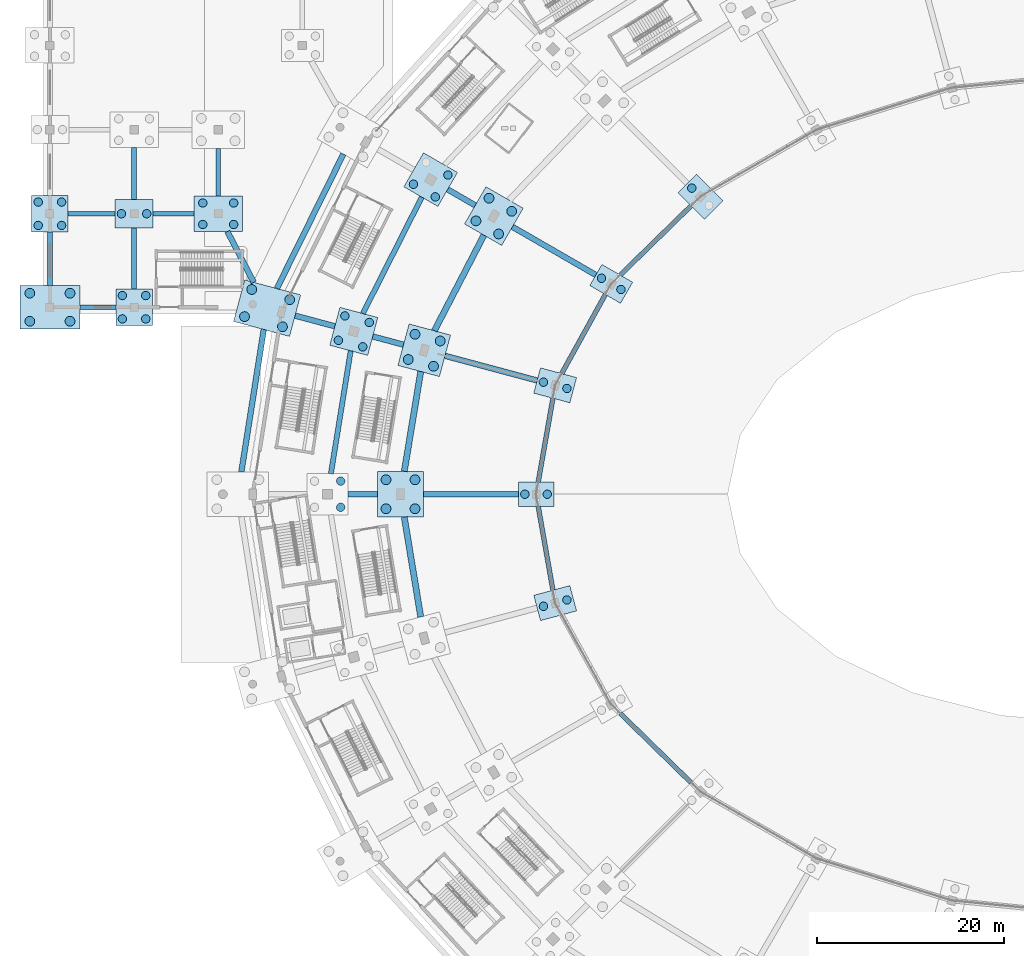
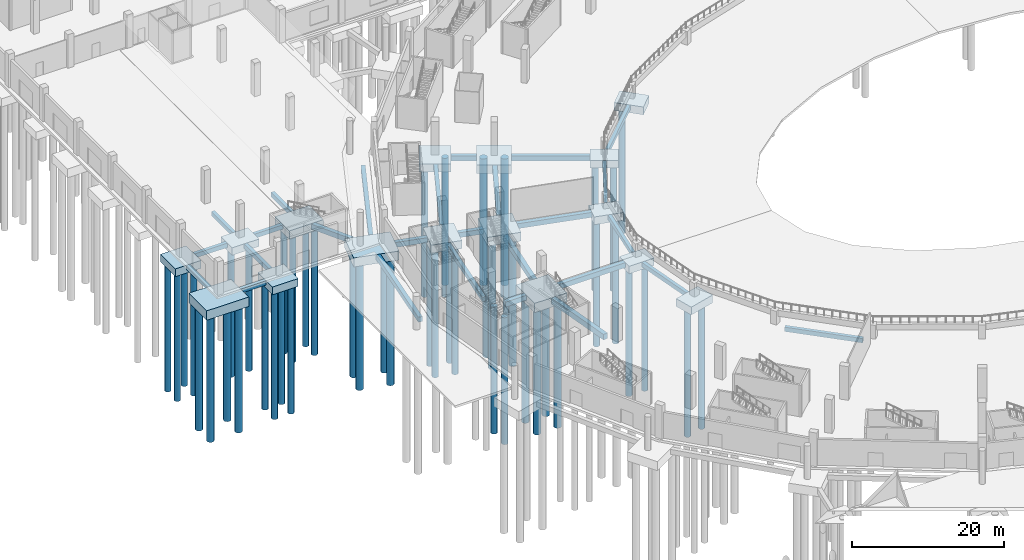
# One storey, part 4 of 103: 52 piles, 43 footings.
"""IFC4 building model written with IfcOpenShell, lengths in metres."""

from ifc_helpers import new_model, si_unit, direction, frame, origin, origin_2d, place, context, subcontext, project, spatial, rectangle, circle, extrude, material, material_profile, profile_set, type_object, element, save


model = new_model("IFC4")

# Units and contexts
model_context = context("Model", 3, precision=1e-05, world=origin(), true_north=direction((0.0, 1.0)))
body_context = subcontext(model_context, "Body", "Model", "MODEL_VIEW")
ifc_project = project(units=[si_unit("LENGTHUNIT", "METRE"), si_unit("AREAUNIT", "SQUARE_METRE"), si_unit("VOLUMEUNIT", "CUBIC_METRE"), si_unit("PLANEANGLEUNIT", "RADIAN"), si_unit("MASSUNIT", "GRAM", prefix="KILO")], contexts=[model_context])

# Site, building, storey
site_placement = place(None, origin())
site = spatial("IfcSite", under=ifc_project, at=site_placement, CompositionType="ELEMENT")
building_placement = place(site_placement, origin())
building = spatial("IfcBuilding", under=site, at=building_placement, Name="Zevraka Park Crest Stadium", CompositionType="ELEMENT")
storey_placement = place(building_placement, origin())
storey = spatial("IfcBuildingStorey", under=building, at=storey_placement, Name="L00", CompositionType="ELEMENT", Elevation=0.0)

# Footings
ifc_material_1 = material(Name="Concrete C35/45", Category="concrete")
ifc_material_profile_1 = material_profile(ifc_material_1, rectangle(XDim=0.60009765625, YDim=0.800048828125, at=origin_2d()), Name="GB 800x600")
ifc_profile_set_1 = profile_set([ifc_material_profile_1], Name="Concrete C35/45")
footing_type_1 = type_object("IfcFootingType", Name="GB01", PredefinedType="FOOTING_BEAM", material=ifc_profile_set_1)
footing_1_placement = place(storey_placement, frame((58.39306640625, 115.449951171875, -0.75), z_axis=(-0.866021778534, 0.500006279065, 0.0), x_axis=(-0.500006279065, -0.866021778534, 0.0)))
element("IfcFooting", 1, at=footing_1_placement, inside=storey, type_object=footing_type_1, Name="Ground Tie Beam GB01 RAD-AB-10", PredefinedType="FOOTING_BEAM", context=body_context, shape_type="SweptSolid", body=[
    extrude(rectangle(XDim=0.60009765625, YDim=0.800048828125, at=origin_2d()), origin(), (0.0, 0.0, 1.0), 10.300048828125),
])
footing_2_placement = place(storey_placement, frame((45.489013671875, 122.89990234375, -0.75), z_axis=(-0.865971507594, 0.500093339322, 0.0), x_axis=(-0.500093339322, -0.865971507594, 0.0)))
element("IfcFooting", 2, at=footing_2_placement, inside=storey, type_object=footing_type_1, Name="Ground Tie Beam GB01 RAD-BC-10", PredefinedType="FOOTING_BEAM", context=body_context, shape_type="SweptSolid", body=[
    extrude(rectangle(XDim=0.60009765625, YDim=0.800048828125, at=origin_2d()), origin(), (0.0, 0.0, 1.0), 3.399658203125),
])
footing_3_placement = place(storey_placement, frame((31.389892578125, 128.384033203125, -0.75), z_axis=(-0.443588303516, -0.896230671749, 0.0), x_axis=(0.896230671749, -0.443588303516, 0.0)))
element("IfcFooting", 3, at=footing_3_placement, inside=storey, type_object=footing_type_1, Name="Ground Tie Beam GB01 CIR-DE-10", PredefinedType="FOOTING_BEAM", context=body_context, shape_type="SweptSolid", body=[
    extrude(rectangle(XDim=0.60009765625, YDim=0.800048828125, at=origin_2d()), origin(), (0.0, 0.0, 1.0), 16.0439453125),
])
footing_4_placement = place(storey_placement, frame((52.112060546875, 104.1650390625, -0.75), z_axis=(-0.965918344594, 0.258846965554, 0.0), x_axis=(-0.258846965554, -0.965918344594, 0.0)))
element("IfcFooting", 4, at=footing_4_placement, inside=storey, type_object=footing_type_1, Name="Ground Tie Beam GB01 RAD-AB-11", PredefinedType="FOOTING_BEAM", context=body_context, shape_type="SweptSolid", body=[
    extrude(rectangle(XDim=0.60009765625, YDim=0.800048828125, at=origin_2d()), origin(), (0.0, 0.0, 1.0), 10.19873046875),
])
footing_5_placement = place(storey_placement, frame((37.81689453125, 107.9951171875, -0.75), z_axis=(-0.965948371903, 0.258734889063, 0.0), x_axis=(-0.258734889063, -0.965948371903, 0.0)))
element("IfcFooting", 5, at=footing_5_placement, inside=storey, type_object=footing_type_1, Name="Ground Tie Beam GB01 RAD-BC-11", PredefinedType="FOOTING_BEAM", context=body_context, shape_type="SweptSolid", body=[
    extrude(rectangle(XDim=0.60009765625, YDim=0.800048828125, at=origin_2d()), origin(), (0.0, 0.0, 1.0), 3.400634765625),
])
footing_6_placement = place(storey_placement, frame((30.47607421875, 109.9619140625, -0.75), z_axis=(-0.965904454439, 0.258898792763, 0.0), x_axis=(-0.258898792763, -0.965904454439, 0.0)))
element("IfcFooting", 6, at=footing_6_placement, inside=storey, type_object=footing_type_1, Name="Ground Tie Beam GB01 RAD-CDE-11", PredefinedType="FOOTING_BEAM", context=body_context, shape_type="SweptSolid", body=[
    extrude(rectangle(XDim=0.60009765625, YDim=0.800048828125, at=origin_2d()), origin(), (0.0, 0.0, 1.0), 4.39990234375),
])
footing_7_placement = place(storey_placement, frame((22.8720703125, 109.617919921875, -0.75), z_axis=(-0.155405085969, -0.987850828443, 0.0), x_axis=(0.987850828443, -0.155405085969, 0.0)))
element("IfcFooting", 7, at=footing_7_placement, inside=storey, type_object=footing_type_1, Name="Ground Tie Beam GB01 CIR-DE-11", PredefinedType="FOOTING_BEAM", context=body_context, shape_type="SweptSolid", body=[
    extrude(rectangle(XDim=0.60009765625, YDim=0.800048828125, at=origin_2d()), origin(), (0.0, 0.0, 1.0), 15.4052734375),
])
footing_8_placement = place(storey_placement, frame((50.10009765625, 92.0, -0.75), z_axis=(-1.0, 0.0, 0.0), x_axis=(0.0, -1.0, 0.0)))
element("IfcFooting", 8, at=footing_8_placement, inside=storey, type_object=footing_type_1, Name="Ground Tie Beam GB01 RAD-AB-12", PredefinedType="FOOTING_BEAM", context=body_context, shape_type="SweptSolid", body=[
    extrude(rectangle(XDim=0.60009765625, YDim=0.800048828125, at=origin_2d()), origin(), (0.0, 0.0, 1.0), 10.150146484375),
])
footing_9_placement = place(storey_placement, frame((35.050048828125, 92.0, -0.75), z_axis=(-1.0, 0.0, 0.0), x_axis=(0.0, -1.0, 0.0)))
element("IfcFooting", 9, at=footing_9_placement, inside=storey, type_object=footing_type_1, Name="Ground Tie Beam GB01 RAD-BC-12", PredefinedType="FOOTING_BEAM", context=body_context, shape_type="SweptSolid", body=[
    extrude(rectangle(XDim=0.60009765625, YDim=0.800048828125, at=origin_2d()), origin(), (0.0, 0.0, 1.0), 3.150146484375),
])
footing_10_placement = place(storey_placement, frame((18.985107421875, 120.10009765625, -0.75), z_axis=(0.45997000163, -0.887934455689, 0.0), x_axis=(0.887934455689, 0.45997000163, 0.0)))
element("IfcFooting", 10, at=footing_10_placement, inside=storey, type_object=footing_type_1, Name="Ground Tie Beam GB01 WTIE-3-P", PredefinedType="FOOTING_BEAM", context=body_context, shape_type="SweptSolid", body=[
    extrude(rectangle(XDim=0.60009765625, YDim=0.800048828125, at=origin_2d()), origin(), (0.0, 0.0, 1.0), 6.11767578125),
])
ifc_material_2 = material(Name="Concrete C35/45", Category="concrete")
ifc_material_profile_2 = material_profile(ifc_material_2, rectangle(XDim=0.5, YDim=0.699951171875, at=origin_2d()), Name="GB 700x500")
ifc_profile_set_2 = profile_set([ifc_material_profile_2], Name="Concrete C35/45")
footing_type_2 = type_object("IfcFootingType", Name="GB02", PredefinedType="FOOTING_BEAM", material=ifc_profile_set_2)
footing_11_placement = place(storey_placement, frame((68.572998046875, 122.841064453125, -0.699951171875), z_axis=(-0.715191657617, -0.698928388946, 0.0), x_axis=(0.698928388946, -0.715191657617, 0.0)))
element("IfcFooting", 11, at=footing_11_placement, inside=storey, type_object=footing_type_2, Name="Ground Tie Beam GB02 CIR-A-09", PredefinedType="FOOTING_BEAM", context=body_context, shape_type="SweptSolid", body=[
    extrude(rectangle(XDim=0.5, YDim=0.699951171875, at=origin_2d()), origin(), (0.0, 0.0, 1.0), 10.583251953125),
])
footing_12_placement = place(storey_placement, frame((59.408935546875, 113.362060546875, -0.699951171875), z_axis=(-0.483451620056, -0.875371081922, 0.0), x_axis=(0.875371081922, -0.483451620056, 0.0)))
element("IfcFooting", 12, at=footing_12_placement, inside=storey, type_object=footing_type_2, Name="Ground Tie Beam GB02 CIR-A-10", PredefinedType="FOOTING_BEAM", context=body_context, shape_type="SweptSolid", body=[
    extrude(rectangle(XDim=0.5, YDim=0.699951171875, at=origin_2d()), origin(), (0.0, 0.0, 1.0), 9.655517578125),
])
for number, where, z_axis, x_axis, name in (
    (13, (53.801025390625, 102.262939453125, -0.699951171875), (-0.172859296202, -0.984946528354, 0.0), (0.984946528354, -0.172859296202, 0.0), "Ground Tie Beam GB02 CIR-A-11"),
    (14, (52.22802734375, 90.699951171875, -0.699951171875), (0.172859296202, -0.984946528354, 0.0), (0.984946528354, 0.172859296202, 0.0), "Ground Tie Beam GB02 CIR-A-12"),
):
    element("IfcFooting", number, at=place(storey_placement, frame(where, z_axis=z_axis, x_axis=x_axis)), inside=storey, type_object=footing_type_2, Name=name, PredefinedType="FOOTING_BEAM", context=body_context, shape_type="SweptSolid", body=[
        extrude(rectangle(XDim=0.5, YDim=0.699951171875, at=origin_2d()), origin(), (0.0, 0.0, 1.0), 9.099853515625),
    ])
footing_13_placement = place(storey_placement, frame((61.00390625, 68.555908203125, -0.699951171875), z_axis=(0.715191657617, -0.698928388946, 0.0), x_axis=(0.698928388946, 0.715191657617, 0.0)))
element("IfcFooting", 15, at=footing_13_placement, inside=storey, type_object=footing_type_2, Name="Ground Tie Beam GB02 CIR-A-14", PredefinedType="FOOTING_BEAM", context=body_context, shape_type="SweptSolid", body=[
    extrude(rectangle(XDim=0.5, YDim=0.699951171875, at=origin_2d()), origin(), (0.0, 0.0, 1.0), 10.583251953125),
])
footing_14_placement = place(storey_placement, frame((3.199951171875, 112.0, -0.699951171875), z_axis=(1.0, 0.0, 0.0), x_axis=(0.0, 1.0, 0.0)))
element("IfcFooting", 16, at=footing_14_placement, inside=storey, type_object=footing_type_2, Name="Ground Tie Beam GB02 WX-1-N", PredefinedType="FOOTING_BEAM", context=body_context, shape_type="SweptSolid", body=[
    extrude(rectangle(XDim=0.5, YDim=0.699951171875, at=origin_2d()), origin(), (0.0, 0.0, 1.0), 3.85009765625),
])
footing_15_placement = place(storey_placement, frame((0.0, 114.35009765625, -0.699951171875), z_axis=(0.0, 1.0, 0.0), x_axis=(-1.0, 0.0, 0.0)))
element("IfcFooting", 17, at=footing_15_placement, inside=storey, type_object=footing_type_2, Name="Ground Tie Beam GB02 WY-1-N", PredefinedType="FOOTING_BEAM", context=body_context, shape_type="SweptSolid", body=[
    extrude(rectangle(XDim=0.5, YDim=0.699951171875, at=origin_2d()), origin(), (0.0, 0.0, 1.0), 5.699951171875),
])
footing_16_placement = place(storey_placement, frame((1.949951171875, 122.0, -0.699951171875), z_axis=(1.0, 0.0, 0.0), x_axis=(0.0, 1.0, 0.0)))
element("IfcFooting", 18, at=footing_16_placement, inside=storey, type_object=footing_type_2, Name="Ground Tie Beam GB02 WX-1-P", PredefinedType="FOOTING_BEAM", context=body_context, shape_type="SweptSolid", body=[
    extrude(rectangle(XDim=0.5, YDim=0.699951171875, at=origin_2d()), origin(), (0.0, 0.0, 1.0), 5.0),
])
footing_17_placement = place(storey_placement, frame((9.0, 113.949951171875, -0.699951171875), z_axis=(0.0, 1.0, 0.0), x_axis=(-1.0, 0.0, 0.0)))
element("IfcFooting", 19, at=footing_17_placement, inside=storey, type_object=footing_type_2, Name="Ground Tie Beam GB02 WY-2-N", PredefinedType="FOOTING_BEAM", context=body_context, shape_type="SweptSolid", body=[
    extrude(rectangle(XDim=0.5, YDim=0.699951171875, at=origin_2d()), origin(), (0.0, 0.0, 1.0), 6.550048828125),
])
footing_18_placement = place(storey_placement, frame((11.050048828125, 122.0, -0.699951171875), z_axis=(1.0, 0.0, 0.0), x_axis=(0.0, 1.0, 0.0)))
element("IfcFooting", 20, at=footing_18_placement, inside=storey, type_object=footing_type_2, Name="Ground Tie Beam GB02 WX-2-P", PredefinedType="FOOTING_BEAM", context=body_context, shape_type="SweptSolid", body=[
    extrude(rectangle(XDim=0.5, YDim=0.699951171875, at=origin_2d()), origin(), (0.0, 0.0, 1.0), 4.349853515625),
])
footing_19_placement = place(storey_placement, frame((9.0, 123.5, -0.699951171875), z_axis=(0.0, 1.0, 0.0), x_axis=(-1.0, 0.0, 0.0)))
element("IfcFooting", 21, at=footing_19_placement, inside=storey, type_object=footing_type_2, Name="Ground Tie Beam GB02 WY-2-P", PredefinedType="FOOTING_BEAM", context=body_context, shape_type="SweptSolid", body=[
    extrude(rectangle(XDim=0.5, YDim=0.699951171875, at=origin_2d()), origin(), (0.0, 0.0, 1.0), 5.60009765625),
])
footing_20_placement = place(storey_placement, frame((18.0, 123.89990234375, -0.699951171875), z_axis=(0.0, 1.0, 0.0), x_axis=(-1.0, 0.0, 0.0)))
element("IfcFooting", 22, at=footing_20_placement, inside=storey, type_object=footing_type_2, Name="Ground Tie Beam GB02 WY-3-P", PredefinedType="FOOTING_BEAM", context=body_context, shape_type="SweptSolid", body=[
    extrude(rectangle(XDim=0.5, YDim=0.699951171875, at=origin_2d()), origin(), (0.0, 0.0, 1.0), 5.10009765625),
])
ifc_material_3 = material(Name="Concrete C35/45", Category="concrete")
ifc_material_profile_3 = material_profile(ifc_material_3, rectangle(XDim=0.64990234375, YDim=0.89990234375, at=origin_2d()), Name="GB 900x650")
ifc_profile_set_3 = profile_set([ifc_material_profile_3], Name="Concrete C35/45")
footing_type_3 = type_object("IfcFootingType", Name="GB03", PredefinedType="FOOTING_BEAM", material=ifc_profile_set_3)
footing_21_placement = place(storey_placement, frame((46.4208984375, 119.7060546875, -0.800048828125), z_axis=(-0.460395193039, -0.887714067832, 0.0), x_axis=(0.887714067832, -0.460395193039, 0.0)))
element("IfcFooting", 23, at=footing_21_placement, inside=storey, type_object=footing_type_3, Name="Ground Tie Beam GB03 CIR-B-10", PredefinedType="FOOTING_BEAM", context=body_context, shape_type="SweptSolid", body=[
    extrude(rectangle(XDim=0.64990234375, YDim=0.89990234375, at=origin_2d()), origin(), (0.0, 0.0, 1.0), 11.507080078125),
])
for number, where, z_axis, x_axis, name in (
    (24, (39.6630859375, 105.1201171875, -0.800048828125), (-0.162659772951, -0.986682217466, 0.0), (0.986682217466, -0.162659772951, 0.0), "Ground Tie Beam GB03 CIR-B-11"),
    (25, (37.904052734375, 89.550048828125, -0.800048828125), (0.162659772951, -0.986682217466, 0.0), (0.986682217466, 0.162659772951, 0.0), "Ground Tie Beam GB03 CIR-B-12"),
):
    element("IfcFooting", number, at=place(storey_placement, frame(where, z_axis=z_axis, x_axis=x_axis)), inside=storey, type_object=footing_type_3, Name=name, PredefinedType="FOOTING_BEAM", context=body_context, shape_type="SweptSolid", body=[
        extrude(rectangle(XDim=0.64990234375, YDim=0.89990234375, at=origin_2d()), origin(), (0.0, 0.0, 1.0), 10.814208984375),
    ])
ifc_material_4 = material(Name="Concrete C35/45", Category="concrete")
ifc_material_profile_4 = material_profile(ifc_material_4, rectangle(XDim=0.550048828125, YDim=0.75, at=origin_2d()), Name="GB 750x550")
ifc_profile_set_4 = profile_set([ifc_material_profile_4], Name="Concrete C35/45")
footing_type_4 = type_object("IfcFootingType", Name="GB04", PredefinedType="FOOTING_BEAM", material=ifc_profile_set_4)
footing_22_placement = place(storey_placement, frame((39.77587890625, 123.77392578125, -0.72509765625), z_axis=(-0.451871179717, -0.892083200683, 0.0), x_axis=(0.892083200683, -0.451871179717, 0.0)))
element("IfcFooting", 26, at=footing_22_placement, inside=storey, type_object=footing_type_4, Name="Ground Tie Beam GB04 CIR-C-10", PredefinedType="FOOTING_BEAM", context=body_context, shape_type="SweptSolid", body=[
    extrude(rectangle(XDim=0.550048828125, YDim=0.75, at=origin_2d()), origin(), (0.0, 0.0, 1.0), 13.94580078125),
])
footing_23_placement = place(storey_placement, frame((32.1689453125, 107.3349609375, -0.72509765625), z_axis=(-0.158971653084, -0.98728314759, 0.0), x_axis=(0.98728314759, -0.158971653084, 0.0)))
element("IfcFooting", 27, at=footing_23_placement, inside=storey, type_object=footing_type_4, Name="Ground Tie Beam GB04 CIR-C-11", PredefinedType="FOOTING_BEAM", context=body_context, shape_type="SweptSolid", body=[
    extrude(rectangle(XDim=0.550048828125, YDim=0.75, at=origin_2d()), origin(), (0.0, 0.0, 1.0), 13.30419921875),
])
ifc_material_5 = material(Name="Concrete C35/45", Category="concrete")
footing_type_5 = type_object("IfcFootingType", Name="PC01", PredefinedType="PILE_CAP", material=ifc_material_5)
for number, where, z_axis, x_axis, name in (
    (28, (60.0380859375, 114.5, -1.5498046875), (0.0, 0.0, 1.0), (-0.866025403784, 0.5, 0.0), "Foundation PC01 A-10"),
    (29, (52.0, 92.0, -1.5498046875), (0.0, 0.0, 1.0), (1.0, 0.0, 0.0), "Foundation PC01 A-12"),
):
    element("IfcFooting", number, at=place(storey_placement, frame(where, z_axis=z_axis, x_axis=x_axis)), inside=storey, type_object=footing_type_5, Name=name, PredefinedType="PILE_CAP", context=body_context, shape_type="SweptSolid", body=[
        extrude(rectangle(XDim=3.800048828125, YDim=2.60009765625, at=origin_2d()), origin(), (0.0, 0.0, 1.0), 1.199951171875),
    ])
ifc_material_6 = material(Name="Concrete C35/45", Category="concrete")
footing_type_6 = type_object("IfcFootingType", Name="PC02", PredefinedType="PILE_CAP", material=ifc_material_6)
for number, where, z_axis, x_axis, name in (
    (30, (69.573974609375, 123.820068359375, -1.60009765625), (0.0, 0.0, 1.0), (-0.707106781187, 0.707106781187, 0.0), "Foundation PC02 A-09"),
    (31, (54.0439453125, 103.64697265625, -1.60009765625), (0.0, 0.0, 1.0), (-0.965925826289, 0.258819045103, 0.0), "Foundation PC02 A-11"),
    (32, (54.0439453125, 80.35302734375, -1.60009765625), (0.0, 0.0, 1.0), (0.965925826289, 0.258819045103, 0.0), "Foundation PC02 A-13"),
):
    element("IfcFooting", number, at=place(storey_placement, frame(where, z_axis=z_axis, x_axis=x_axis)), inside=storey, type_object=footing_type_6, Name=name, PredefinedType="PILE_CAP", context=body_context, shape_type="SweptSolid", body=[
        extrude(rectangle(XDim=4.0, YDim=2.800048828125, at=origin_2d()), origin(), (0.0, 0.0, 1.0), 1.25),
    ])
ifc_material_7 = material(Name="Concrete C35/45", Category="concrete")
footing_type_7 = type_object("IfcFootingType", Name="PC03", PredefinedType="PILE_CAP", material=ifc_material_7)
for number, where, z_axis, x_axis, name in (
    (33, (47.48095703125, 121.75, -1.75), (0.0, 0.0, 1.0), (-0.866025403784, 0.5, 0.0), "Foundation PC03 B-10"),
    (34, (40.0390625, 107.39990234375, -1.75), (0.0, 0.0, 1.0), (-0.965925826289, 0.258819045103, 0.0), "Foundation PC03 B-11"),
):
    element("IfcFooting", number, at=place(storey_placement, frame(where, z_axis=z_axis, x_axis=x_axis)), inside=storey, type_object=footing_type_7, Name=name, PredefinedType="PILE_CAP", context=body_context, shape_type="SweptSolid", body=[
        extrude(rectangle(XDim=4.60009765625, YDim=4.60009765625, at=origin_2d()), origin(), (0.0, 0.0, 1.0), 1.39990234375),
    ])
ifc_material_8 = material(Name="Concrete C35/45", Category="concrete")
footing_type_8 = type_object("IfcFootingType", Name="PC04", PredefinedType="PILE_CAP", material=ifc_material_8)
footing_24_placement = place(storey_placement, frame((37.5, 92.0, -1.85009765625), z_axis=(0.0, 0.0, 1.0), x_axis=(1.0, 0.0, 0.0)))
element("IfcFooting", 35, at=footing_24_placement, inside=storey, type_object=footing_type_8, Name="Foundation PC04 B-12", PredefinedType="PILE_CAP", context=body_context, shape_type="SweptSolid", body=[
    extrude(rectangle(XDim=4.89990234375, YDim=4.89990234375, at=origin_2d()), origin(), (0.0, 0.0, 1.0), 1.5),
])
ifc_material_9 = material(Name="Concrete C35/45", Category="concrete")
footing_type_9 = type_object("IfcFootingType", Name="PC05", PredefinedType="PILE_CAP", material=ifc_material_9)
for number, where, z_axis, x_axis, name in (
    (36, (40.72607421875, 125.64990234375, -1.64990234375), (0.0, 0.0, 1.0), (-0.866025403784, 0.5, 0.0), "Foundation PC05 C-10"),
    (37, (32.50390625, 109.4189453125, -1.64990234375), (0.0, 0.0, 1.0), (-0.965925826289, 0.258819045103, 0.0), "Foundation PC05 C-11"),
):
    element("IfcFooting", number, at=place(storey_placement, frame(where, z_axis=z_axis, x_axis=x_axis)), inside=storey, type_object=footing_type_9, Name=name, PredefinedType="PILE_CAP", context=body_context, shape_type="SweptSolid", body=[
        extrude(rectangle(XDim=4.199951171875, YDim=4.199951171875, at=origin_2d()), origin(), (0.0, 0.0, 1.0), 1.300048828125),
    ])
ifc_material_10 = material(Name="Concrete C35/45", Category="concrete")
footing_type_10 = type_object("IfcFootingType", Name="PC07", PredefinedType="PILE_CAP", material=ifc_material_10)
footing_25_placement = place(storey_placement, frame((23.23193359375, 111.903076171875, -1.7998046875), z_axis=(0.0, 0.0, 1.0), x_axis=(-0.965925826289, 0.258819045103, 0.0)))
element("IfcFooting", 38, at=footing_25_placement, inside=storey, type_object=footing_type_10, Name="Foundation PC07 DE-11", PredefinedType="PILE_CAP", context=body_context, shape_type="SweptSolid", body=[
    extrude(rectangle(XDim=6.199951171875, YDim=4.60009765625, at=origin_2d()), origin(), (0.0, 0.0, 1.0), 1.449951171875),
])
ifc_material_11 = material(Name="Concrete C35/45", Category="concrete")
footing_type_11 = type_object("IfcFootingType", Name="PC09", PredefinedType="PILE_CAP", material=ifc_material_11)
for number, where, z_axis, x_axis, name in (
    (39, (0.0, 122.0, -1.60009765625), (0.0, 0.0, 1.0), (1.0, 0.0, 0.0), "Foundation PC09 W-1-P"),
    (40, (9.0, 112.0, -1.60009765625), (0.0, 0.0, 1.0), (1.0, 0.0, 0.0), "Foundation PC09 W-2-N"),
):
    element("IfcFooting", number, at=place(storey_placement, frame(where, z_axis=z_axis, x_axis=x_axis)), inside=storey, type_object=footing_type_11, Name=name, PredefinedType="PILE_CAP", context=body_context, shape_type="SweptSolid", body=[
        extrude(rectangle(XDim=3.89990234375, YDim=3.89990234375, at=origin_2d()), origin(), (0.0, 0.0, 1.0), 1.25),
    ])
ifc_material_12 = material(Name="Concrete C35/45", Category="concrete")
footing_type_12 = type_object("IfcFootingType", Name="PC10", PredefinedType="PILE_CAP", material=ifc_material_12)
footing_26_placement = place(storey_placement, frame((9.0, 122.0, -1.5498046875), z_axis=(0.0, 0.0, 1.0), x_axis=(1.0, 0.0, 0.0)))
element("IfcFooting", 41, at=footing_26_placement, inside=storey, type_object=footing_type_12, Name="Foundation PC10 W-2-P", PredefinedType="PILE_CAP", context=body_context, shape_type="SweptSolid", body=[
    extrude(rectangle(XDim=4.10009765625, YDim=3.0, at=origin_2d()), origin(), (0.0, 0.0, 1.0), 1.199951171875),
])
ifc_material_13 = material(Name="Concrete C35/45", Category="concrete")
footing_type_13 = type_object("IfcFootingType", Name="PC11", PredefinedType="PILE_CAP", material=ifc_material_13)
footing_27_placement = place(storey_placement, frame((18.0, 122.0, -1.699951171875), z_axis=(0.0, 0.0, 1.0), x_axis=(1.0, 0.0, 0.0)))
element("IfcFooting", 42, at=footing_27_placement, inside=storey, type_object=footing_type_13, Name="Foundation PC11 W-3-P", PredefinedType="PILE_CAP", context=body_context, shape_type="SweptSolid", body=[
    extrude(rectangle(XDim=5.199951171875, YDim=3.800048828125, at=origin_2d()), origin(), (0.0, 0.0, 1.0), 1.35009765625),
])
ifc_material_14 = material(Name="Concrete C35/45", Category="concrete")
footing_type_14 = type_object("IfcFootingType", Name="PC24", PredefinedType="PILE_CAP", material=ifc_material_14)
footing_28_placement = place(storey_placement, frame((0.0, 112.0, -1.8701171875), z_axis=(0.0, 0.0, 1.0), x_axis=(1.0, 0.0, 0.0)))
element("IfcFooting", 43, at=footing_28_placement, inside=storey, type_object=footing_type_14, Name="Foundation PC24 W-1-N", PredefinedType="PILE_CAP", context=body_context, shape_type="SweptSolid", body=[
    extrude(rectangle(XDim=6.39990234375, YDim=4.699951171875, at=origin_2d()), origin(), (0.0, 0.0, 1.0), 1.52001953125),
])

# Piles
ifc_material_15 = material(Name="Concrete C35/45", Category="concrete")
ifc_material_profile_5 = material_profile(ifc_material_15, circle(Radius=0.449951171875, at=origin_2d()), Name="PILE D900")
ifc_profile_set_5 = profile_set([ifc_material_profile_5], Name="Concrete C35/45")
pile_type_1 = type_object("IfcPileType", Name="PL01", PredefinedType="BORED", material=ifc_profile_set_5)
pile_placement = place(storey_placement, frame((68.655029296875, 124.739013671875, -1.5), z_axis=(0.0, 0.0, -1.0), x_axis=(1.0, 0.0, 0.0)))
element("IfcPile", 44, at=pile_placement, inside=storey, type_object=pile_type_1, Name="Bored Pile PL01 A-09-2", PredefinedType="BORED", context=body_context, shape_type="SweptSolid", body=[
    extrude(circle(Radius=0.449951171875, at=origin_2d()), origin(), (0.0, 0.0, 1.0), 20.5),
])
for number, where, z_axis, x_axis, name in (
    (45, (61.076904296875, 113.89990234375, -1.449951171875), (0.0, 0.0, -1.0), (1.0, 0.0, 0.0), "Bored Pile PL01 A-10-1"),
    (46, (58.9990234375, 115.10009765625, -1.449951171875), (0.0, 0.0, -1.0), (1.0, 0.0, 0.0), "Bored Pile PL01 A-10-2"),
):
    element("IfcPile", number, at=place(storey_placement, frame(where, z_axis=z_axis, x_axis=x_axis)), inside=storey, type_object=pile_type_1, Name=name, PredefinedType="BORED", context=body_context, shape_type="SweptSolid", body=[
        extrude(circle(Radius=0.449951171875, at=origin_2d()), origin(), (0.0, 0.0, 1.0), 20.550048828125),
    ])
for number, where, z_axis, x_axis, name in (
    (47, (42.570068359375, 126.14404296875, -1.550048828125), (0.0, 0.0, -1.0), (1.0, 0.0, 0.0), "Bored Pile PL01 C-10-1"),
    (48, (41.219970703125, 123.805908203125, -1.550048828125), (0.0, 0.0, -1.0), (1.0, 0.0, 0.0), "Bored Pile PL01 C-10-3"),
    (49, (38.882080078125, 125.156005859375, -1.550048828125), (0.0, 0.0, -1.0), (1.0, 0.0, 0.0), "Bored Pile PL01 C-10-4"),
):
    element("IfcPile", number, at=place(storey_placement, frame(where, z_axis=z_axis, x_axis=x_axis)), inside=storey, type_object=pile_type_1, Name=name, PredefinedType="BORED", context=body_context, shape_type="SweptSolid", body=[
        extrude(circle(Radius=0.449951171875, at=origin_2d()), origin(), (0.0, 0.0, 1.0), 20.449951171875),
    ])
for number, where, z_axis, x_axis, name in (
    (50, (55.300048828125, 103.31103515625, -1.5), (0.0, 0.0, -1.0), (1.0, 0.0, 0.0), "Bored Pile PL01 A-11-1"),
    (51, (52.7880859375, 103.98291015625, -1.5), (0.0, 0.0, -1.0), (1.0, 0.0, 0.0), "Bored Pile PL01 A-11-2"),
):
    element("IfcPile", number, at=place(storey_placement, frame(where, z_axis=z_axis, x_axis=x_axis)), inside=storey, type_object=pile_type_1, Name=name, PredefinedType="BORED", context=body_context, shape_type="SweptSolid", body=[
        extrude(circle(Radius=0.449951171875, at=origin_2d()), origin(), (0.0, 0.0, 1.0), 20.5),
    ])
for number, where, z_axis, x_axis, name in (
    (52, (34.156982421875, 110.3740234375, -1.550048828125), (0.0, 0.0, -1.0), (1.0, 0.0, 0.0), "Bored Pile PL01 C-11-1"),
    (53, (31.549072265625, 111.072021484375, -1.550048828125), (0.0, 0.0, -1.0), (1.0, 0.0, 0.0), "Bored Pile PL01 C-11-2"),
    (54, (33.458984375, 107.76611328125, -1.550048828125), (0.0, 0.0, -1.0), (1.0, 0.0, 0.0), "Bored Pile PL01 C-11-3"),
    (55, (30.85107421875, 108.464111328125, -1.550048828125), (0.0, 0.0, -1.0), (1.0, 0.0, 0.0), "Bored Pile PL01 C-11-4"),
):
    element("IfcPile", number, at=place(storey_placement, frame(where, z_axis=z_axis, x_axis=x_axis)), inside=storey, type_object=pile_type_1, Name=name, PredefinedType="BORED", context=body_context, shape_type="SweptSolid", body=[
        extrude(circle(Radius=0.449951171875, at=origin_2d()), origin(), (0.0, 0.0, 1.0), 20.449951171875),
    ])
for number, where, z_axis, x_axis, name in (
    (56, (50.800048828125, 92.0, -1.449951171875), (0.0, 0.0, -1.0), (1.0, 0.0, 0.0), "Bored Pile PL01 A-12-1"),
    (57, (53.199951171875, 92.0, -1.449951171875), (0.0, 0.0, -1.0), (1.0, 0.0, 0.0), "Bored Pile PL01 A-12-2"),
):
    element("IfcPile", number, at=place(storey_placement, frame(where, z_axis=z_axis, x_axis=x_axis)), inside=storey, type_object=pile_type_1, Name=name, PredefinedType="BORED", context=body_context, shape_type="SweptSolid", body=[
        extrude(circle(Radius=0.449951171875, at=origin_2d()), origin(), (0.0, 0.0, 1.0), 20.550048828125),
    ])
for number, where, z_axis, x_axis, name in (
    (58, (31.10009765625, 90.60009765625, -1.60009765625), (0.0, 0.0, -1.0), (1.0, 0.0, 0.0), "Bored Pile PL01 C-12-2"),
    (59, (31.10009765625, 93.39990234375, -1.60009765625), (0.0, 0.0, -1.0), (1.0, 0.0, 0.0), "Bored Pile PL01 C-12-4"),
):
    element("IfcPile", number, at=place(storey_placement, frame(where, z_axis=z_axis, x_axis=x_axis)), inside=storey, type_object=pile_type_1, Name=name, PredefinedType="BORED", context=body_context, shape_type="SweptSolid", body=[
        extrude(circle(Radius=0.449951171875, at=origin_2d()), origin(), (0.0, 0.0, 1.0), 20.39990234375),
    ])
for number, where, z_axis, x_axis, name in (
    (60, (52.7880859375, 80.01708984375, -1.5), (0.0, 0.0, -1.0), (1.0, 0.0, 0.0), "Bored Pile PL01 A-13-1"),
    (61, (55.300048828125, 80.68896484375, -1.5), (0.0, 0.0, -1.0), (1.0, 0.0, 0.0), "Bored Pile PL01 A-13-2"),
    (62, (-1.25, 120.75, -1.5), (0.0, 0.0, -1.0), (1.0, 0.0, 0.0), "Bored Pile PL01 W-1-P-1"),
    (63, (1.25, 120.75, -1.5), (0.0, 0.0, -1.0), (1.0, 0.0, 0.0), "Bored Pile PL01 W-1-P-2"),
    (64, (-1.25, 123.25, -1.5), (0.0, 0.0, -1.0), (1.0, 0.0, 0.0), "Bored Pile PL01 W-1-P-3"),
    (65, (1.25, 123.25, -1.5), (0.0, 0.0, -1.0), (1.0, 0.0, 0.0), "Bored Pile PL01 W-1-P-4"),
    (66, (7.75, 110.75, -1.5), (0.0, 0.0, -1.0), (1.0, 0.0, 0.0), "Bored Pile PL01 W-2-N-1"),
    (67, (10.25, 110.75, -1.5), (0.0, 0.0, -1.0), (1.0, 0.0, 0.0), "Bored Pile PL01 W-2-N-2"),
    (68, (7.75, 113.25, -1.5), (0.0, 0.0, -1.0), (1.0, 0.0, 0.0), "Bored Pile PL01 W-2-N-3"),
    (69, (10.25, 113.25, -1.5), (0.0, 0.0, -1.0), (1.0, 0.0, 0.0), "Bored Pile PL01 W-2-N-4"),
):
    element("IfcPile", number, at=place(storey_placement, frame(where, z_axis=z_axis, x_axis=x_axis)), inside=storey, type_object=pile_type_1, Name=name, PredefinedType="BORED", context=body_context, shape_type="SweptSolid", body=[
        extrude(circle(Radius=0.449951171875, at=origin_2d()), origin(), (0.0, 0.0, 1.0), 20.5),
    ])
for number, where, z_axis, x_axis, name in (
    (70, (7.64990234375, 122.0, -1.449951171875), (0.0, 0.0, -1.0), (1.0, 0.0, 0.0), "Bored Pile PL01 W-2-P-1"),
    (71, (10.35009765625, 122.0, -1.449951171875), (0.0, 0.0, -1.0), (1.0, 0.0, 0.0), "Bored Pile PL01 W-2-P-2"),
):
    element("IfcPile", number, at=place(storey_placement, frame(where, z_axis=z_axis, x_axis=x_axis)), inside=storey, type_object=pile_type_1, Name=name, PredefinedType="BORED", context=body_context, shape_type="SweptSolid", body=[
        extrude(circle(Radius=0.449951171875, at=origin_2d()), origin(), (0.0, 0.0, 1.0), 20.550048828125),
    ])
for number, where, z_axis, x_axis, name in (
    (72, (16.35009765625, 120.85009765625, -1.60009765625), (0.0, 0.0, -1.0), (1.0, 0.0, 0.0), "Bored Pile PL01 W-3-P-1"),
    (73, (19.64990234375, 120.85009765625, -1.60009765625), (0.0, 0.0, -1.0), (1.0, 0.0, 0.0), "Bored Pile PL01 W-3-P-2"),
    (74, (16.35009765625, 123.14990234375, -1.60009765625), (0.0, 0.0, -1.0), (1.0, 0.0, 0.0), "Bored Pile PL01 W-3-P-3"),
    (75, (19.64990234375, 123.14990234375, -1.60009765625), (0.0, 0.0, -1.0), (1.0, 0.0, 0.0), "Bored Pile PL01 W-3-P-4"),
):
    element("IfcPile", number, at=place(storey_placement, frame(where, z_axis=z_axis, x_axis=x_axis)), inside=storey, type_object=pile_type_1, Name=name, PredefinedType="BORED", context=body_context, shape_type="SweptSolid", body=[
        extrude(circle(Radius=0.449951171875, at=origin_2d()), origin(), (0.0, 0.0, 1.0), 20.39990234375),
    ])
ifc_material_16 = material(Name="Concrete C35/45", Category="concrete")
ifc_material_profile_6 = material_profile(ifc_material_16, circle(Radius=0.52490234375, at=origin_2d()), Name="PILE D1050")
ifc_profile_set_6 = profile_set([ifc_material_profile_6], Name="Concrete C35/45")
pile_type_2 = type_object("IfcPileType", Name="PL02", PredefinedType="BORED", material=ifc_profile_set_6)
for number, where, z_axis, x_axis, name in (
    (76, (49.39306640625, 122.261962890625, -1.64990234375), (0.0, 0.0, -1.0), (1.0, 0.0, 0.0), "Bored Pile PL02 B-10-1"),
    (77, (46.968994140625, 123.662109375, -1.64990234375), (0.0, 0.0, -1.0), (1.0, 0.0, 0.0), "Bored Pile PL02 B-10-2"),
    (78, (47.992919921875, 119.837890625, -1.64990234375), (0.0, 0.0, -1.0), (1.0, 0.0, 0.0), "Bored Pile PL02 B-10-3"),
    (79, (45.569091796875, 121.238037109375, -1.64990234375), (0.0, 0.0, -1.0), (1.0, 0.0, 0.0), "Bored Pile PL02 B-10-4"),
    (80, (41.75390625, 108.389892578125, -1.64990234375), (0.0, 0.0, -1.0), (1.0, 0.0, 0.0), "Bored Pile PL02 B-11-1"),
    (81, (39.049072265625, 109.114990234375, -1.64990234375), (0.0, 0.0, -1.0), (1.0, 0.0, 0.0), "Bored Pile PL02 B-11-2"),
    (82, (41.029052734375, 105.68505859375, -1.64990234375), (0.0, 0.0, -1.0), (1.0, 0.0, 0.0), "Bored Pile PL02 B-11-3"),
    (83, (38.323974609375, 106.409912109375, -1.64990234375), (0.0, 0.0, -1.0), (1.0, 0.0, 0.0), "Bored Pile PL02 B-11-4"),
):
    element("IfcPile", number, at=place(storey_placement, frame(where, z_axis=z_axis, x_axis=x_axis)), inside=storey, type_object=pile_type_2, Name=name, PredefinedType="BORED", context=body_context, shape_type="SweptSolid", body=[
        extrude(circle(Radius=0.52490234375, at=origin_2d()), origin(), (0.0, 0.0, 1.0), 20.35009765625),
    ])
for number, where, z_axis, x_axis, name in (
    (84, (25.64892578125, 112.80810546875, -1.699951171875), (0.0, 0.0, -1.0), (1.0, 0.0, 0.0), "Bored Pile PL02 DE-11-1"),
    (85, (21.592041015625, 113.89501953125, -1.699951171875), (0.0, 0.0, -1.0), (1.0, 0.0, 0.0), "Bored Pile PL02 DE-11-2"),
    (86, (24.8720703125, 109.910888671875, -1.699951171875), (0.0, 0.0, -1.0), (1.0, 0.0, 0.0), "Bored Pile PL02 DE-11-3"),
    (87, (20.81494140625, 110.998046875, -1.699951171875), (0.0, 0.0, -1.0), (1.0, 0.0, 0.0), "Bored Pile PL02 DE-11-4"),
):
    element("IfcPile", number, at=place(storey_placement, frame(where, z_axis=z_axis, x_axis=x_axis)), inside=storey, type_object=pile_type_2, Name=name, PredefinedType="BORED", context=body_context, shape_type="SweptSolid", body=[
        extrude(circle(Radius=0.52490234375, at=origin_2d()), origin(), (0.0, 0.0, 1.0), 20.300048828125),
    ])
for number, where, z_axis, x_axis, name in (
    (88, (35.949951171875, 90.449951171875, -1.75), (0.0, 0.0, -1.0), (1.0, 0.0, 0.0), "Bored Pile PL02 B-12-1"),
    (89, (39.050048828125, 90.449951171875, -1.75), (0.0, 0.0, -1.0), (1.0, 0.0, 0.0), "Bored Pile PL02 B-12-2"),
    (90, (35.949951171875, 93.550048828125, -1.75), (0.0, 0.0, -1.0), (1.0, 0.0, 0.0), "Bored Pile PL02 B-12-3"),
    (91, (39.050048828125, 93.550048828125, -1.75), (0.0, 0.0, -1.0), (1.0, 0.0, 0.0), "Bored Pile PL02 B-12-4"),
):
    element("IfcPile", number, at=place(storey_placement, frame(where, z_axis=z_axis, x_axis=x_axis)), inside=storey, type_object=pile_type_2, Name=name, PredefinedType="BORED", context=body_context, shape_type="SweptSolid", body=[
        extrude(circle(Radius=0.52490234375, at=origin_2d()), origin(), (0.0, 0.0, 1.0), 20.25),
    ])
for number, where, z_axis, x_axis, name in (
    (92, (-2.14990234375, 110.5, -1.77001953125), (0.0, 0.0, -1.0), (1.0, 0.0, 0.0), "Bored Pile PL02 W-1-N-1"),
    (93, (2.14990234375, 110.5, -1.77001953125), (0.0, 0.0, -1.0), (1.0, 0.0, 0.0), "Bored Pile PL02 W-1-N-2"),
    (94, (-2.14990234375, 113.5, -1.77001953125), (0.0, 0.0, -1.0), (1.0, 0.0, 0.0), "Bored Pile PL02 W-1-N-3"),
    (95, (2.14990234375, 113.5, -1.77001953125), (0.0, 0.0, -1.0), (1.0, 0.0, 0.0), "Bored Pile PL02 W-1-N-4"),
):
    element("IfcPile", number, at=place(storey_placement, frame(where, z_axis=z_axis, x_axis=x_axis)), inside=storey, type_object=pile_type_2, Name=name, PredefinedType="BORED", context=body_context, shape_type="SweptSolid", body=[
        extrude(circle(Radius=0.52490234375, at=origin_2d()), origin(), (0.0, 0.0, 1.0), 20.22998046875),
    ])

save(model, "model.ifc")
